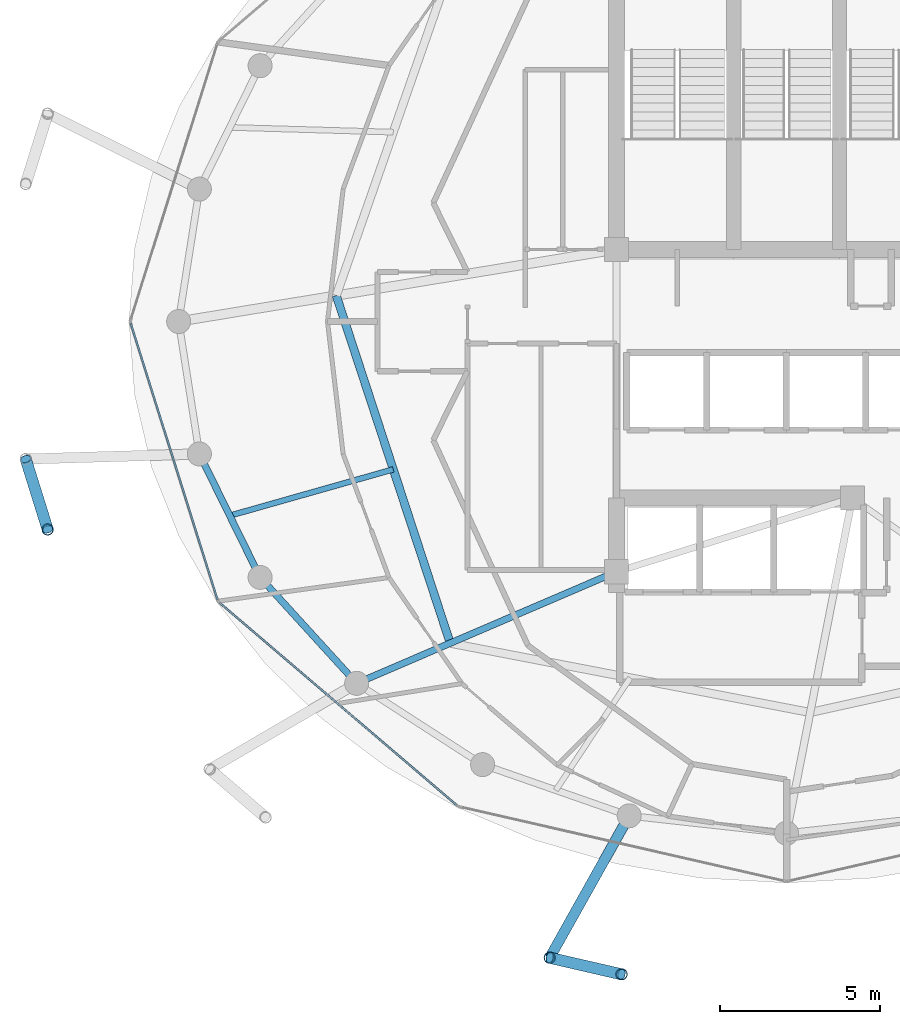
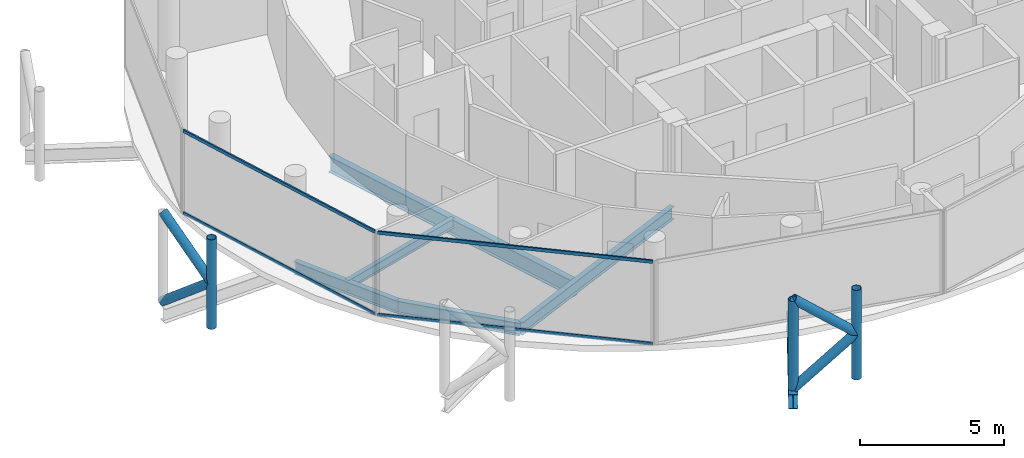
# One storey, part 3 of 24: 11 members, 6 beams, 2 elements without a shape of their own.
"""IFC4 building model written with IfcOpenShell, lengths in metres."""

from ifc_helpers import new_model, si_unit, direction, frame, origin, origin_2d, place, context, subcontext, project, spatial, hollow_rectangle, hollow_circle, i_section, extrude, material, layer, layer_set, material_profile, profile_set, type_object, element, aggregate, save


model = new_model("IFC4")

# Units and contexts
model_context = context("Model", 3, precision=1e-05, world=origin(), true_north=direction((0.0, 1.0)))
body_context = subcontext(model_context, "Body", "Model", "MODEL_VIEW")
ifc_project = project(units=[si_unit("LENGTHUNIT", "METRE"), si_unit("AREAUNIT", "SQUARE_METRE"), si_unit("VOLUMEUNIT", "CUBIC_METRE"), si_unit("PLANEANGLEUNIT", "RADIAN"), si_unit("MASSUNIT", "GRAM", prefix="KILO")], contexts=[model_context])

# Site, building, storey
site_placement = place(None, origin())
site = spatial("IfcSite", under=ifc_project, at=site_placement, CompositionType="ELEMENT")
building_placement = place(site_placement, origin())
building = spatial("IfcBuilding", under=site, at=building_placement, Name="Nuhasar Tower", CompositionType="ELEMENT")
storey_placement = place(building_placement, frame((0.0, 0.0, 267.0)))
storey = spatial("IfcBuildingStorey", under=building, at=storey_placement, Name="L66", CompositionType="ELEMENT", Elevation=267.0)

# Beams
ifc_material_1 = material(Name="Steel S355", Category="steel")
ifc_material_profile_1 = material_profile(ifc_material_1, i_section(OverallWidth=0.25390625, OverallDepth=0.68408203125, WebThickness=0.012451171875, FlangeThickness=0.018798828125, at=origin_2d()), Name="W27X94")
ifc_profile_set_1 = profile_set([ifc_material_profile_1], Name="Steel S355")
beam_type_1 = type_object("IfcBeamType", Name="BM-INRING-W27X94", PredefinedType="BEAM", material=ifc_profile_set_1)
beam_1_placement = place(storey_placement, frame((24.964111328125, 27.610107421875, -0.60205078125), z_axis=(0.311483801376, -0.950251462235, 0.0), x_axis=(0.950251462235, 0.311483801376, 0.0)))
element("IfcBeam", 1, at=beam_1_placement, inside=storey, type_object=beam_type_1, Name="L66 Inner Header Beam 08", PredefinedType="BEAM", context=body_context, shape_type="SweptSolid", body=[
    extrude(i_section(OverallWidth=0.25390625, OverallDepth=0.68408203125, WebThickness=0.012451171875, FlangeThickness=0.018798828125, at=origin_2d()), origin(), (0.0, 0.0, 1.0), 11.403564453125),
])
ifc_material_profile_2 = material_profile(ifc_material_1, i_section(OverallWidth=0.177978515625, OverallDepth=0.406005859375, WebThickness=0.0078125, FlangeThickness=0.0126953125, at=origin_2d()), Name="W16X40")
ifc_profile_set_2 = profile_set([ifc_material_profile_2], Name="Steel S355")
beam_type_2 = type_object("IfcBeamType", Name="BM-JST-W16X40", PredefinedType="JOIST", material=ifc_profile_set_2)
beam_2_placement = place(storey_placement, frame((26.739990234375, 22.19189453125, -0.462890625), z_axis=(-0.962154316042, -0.272505178156, 0.0), x_axis=(0.272505178156, -0.962154316042, 0.0)))
element("IfcBeam", 2, at=beam_2_placement, inside=storey, type_object=beam_type_2, Name="L66 Secondary Floor Joist 08", PredefinedType="JOIST", context=body_context, shape_type="SweptSolid", body=[
    extrude(i_section(OverallWidth=0.177978515625, OverallDepth=0.406005859375, WebThickness=0.0078125, FlangeThickness=0.0126953125, at=origin_2d()), origin(), (0.0, 0.0, 1.0), 5.29833984375),
])
ifc_material_profile_3 = material_profile(ifc_material_1, i_section(OverallWidth=0.208984375, OverallDepth=0.528076171875, WebThickness=0.009521484375, FlangeThickness=0.01318359375, at=origin_2d()), Name="W21X55")
ifc_profile_set_3 = profile_set([ifc_material_profile_3], Name="Steel S355")
beam_type_3 = type_object("IfcBeamType", Name="BM-RAD-W21X55", PredefinedType="BEAM", material=ifc_profile_set_3)
beam_3_placement = place(storey_placement, frame((33.699951171875, 19.0, -0.52392578125), z_axis=(-0.91887119061, -0.394557644797, 0.0), x_axis=(0.394557644797, -0.91887119061, 0.0)))
element("IfcBeam", 3, at=beam_3_placement, inside=storey, type_object=beam_type_3, Name="L66 Radial Floor Girder 01", PredefinedType="BEAM", context=body_context, shape_type="SweptSolid", body=[
    extrude(i_section(OverallWidth=0.208984375, OverallDepth=0.528076171875, WebThickness=0.009521484375, FlangeThickness=0.01318359375, at=origin_2d()), origin(), (0.0, 0.0, 1.0), 8.81494140625),
])
ifc_material_profile_4 = material_profile(ifc_material_1, i_section(OverallWidth=0.2099609375, OverallDepth=0.537109375, WebThickness=0.010986328125, FlangeThickness=0.017333984375, at=origin_2d()), Name="W21X68")
ifc_profile_set_4 = profile_set([ifc_material_profile_4], Name="Steel S355")
beam_type_4 = type_object("IfcBeamType", Name="BM-RING-W21X68", PredefinedType="SPANDREL", material=ifc_profile_set_4)
beam_4_placement = place(storey_placement, frame((20.696044921875, 22.672119140625, -0.529052734375), z_axis=(0.441510561726, -0.897256052576, 0.0), x_axis=(0.897256052576, 0.441510561726, 0.0)))
element("IfcBeam", 4, at=beam_4_placement, inside=storey, type_object=beam_type_4, Name="L66 Perimeter Ring Spandrel 14", PredefinedType="SPANDREL", context=body_context, shape_type="SweptSolid", body=[
    extrude(i_section(OverallWidth=0.2099609375, OverallDepth=0.537109375, WebThickness=0.010986328125, FlangeThickness=0.017333984375, at=origin_2d()), origin(), (0.0, 0.0, 1.0), 4.28759765625),
])
beam_5_placement = place(storey_placement, frame((22.589111328125, 18.824951171875, -0.529052734375), z_axis=(0.673686302939, -0.739017432293, 0.0), x_axis=(0.739017432293, 0.673686302939, 0.0)))
element("IfcBeam", 5, at=beam_5_placement, inside=storey, type_object=beam_type_4, Name="L66 Perimeter Ring Spandrel 15", PredefinedType="SPANDREL", context=body_context, shape_type="SweptSolid", body=[
    extrude(i_section(OverallWidth=0.2099609375, OverallDepth=0.537109375, WebThickness=0.010986328125, FlangeThickness=0.017333984375, at=origin_2d()), origin(), (0.0, 0.0, 1.0), 4.469482421875),
])
ifc_material_profile_5 = material_profile(ifc_material_1, i_section(OverallWidth=0.323974609375, OverallDepth=0.611083984375, WebThickness=0.0126953125, FlangeThickness=0.01904296875, at=origin_2d()), Name="W24X104")
ifc_profile_set_5 = profile_set([ifc_material_profile_5], Name="Steel S355")
beam_type_5 = type_object("IfcBeamType", Name="BM-TIE-W24X104", PredefinedType="BEAM", material=ifc_profile_set_5)
beam_6_placement = place(storey_placement, frame((34.094970703125, 11.39306640625, -0.56494140625), z_axis=(-0.488667847762, -0.872469904675, 0.0), x_axis=(0.872469904675, -0.488667847762, 0.0)))
element("IfcBeam", 6, at=beam_6_placement, inside=storey, type_object=beam_type_5, Name="L66 Exoskeleton Node Tie Beam 09", PredefinedType="BEAM", context=body_context, shape_type="SweptSolid", body=[
    extrude(i_section(OverallWidth=0.323974609375, OverallDepth=0.611083984375, WebThickness=0.0126953125, FlangeThickness=0.01904296875, at=origin_2d()), origin(), (0.0, 0.0, 1.0), 5.072998046875),
])

# Curtain wall, members
ifc_material_2 = material(Name="Aluminium 6063-T6", Category="aluminium")
ifc_layer = layer(ifc_material_2, 0.18994140625)
ifc_layer_set = layer_set([ifc_layer], Name="Aluminium 6063-T6")
curtain_wall_type = type_object("IfcCurtainWallType", Name="CW-Z4-PEN", PredefinedType="NOTDEFINED", material=ifc_layer_set)
curtain_wall_1_placement = place(storey_placement, origin())
curtain_wall_1 = element("IfcCurtainWall", 7, at=curtain_wall_1_placement, inside=storey, type_object=curtain_wall_type, Name="L66 Unitised Curtain Wall 07", PredefinedType="NOTDEFINED")
ifc_material_profile_6 = material_profile(ifc_material_2, hollow_rectangle(XDim=0.06005859375, YDim=0.135009765625, WallThickness=0.00439453125, at=origin_2d()), Name="CWT-5")
ifc_profile_set_6 = profile_set([ifc_material_profile_6], Name="Aluminium 6063-T6")
member_type_1 = type_object("IfcMemberType", Name="CW-TRN-S5", PredefinedType="USERDEFINED", material=ifc_profile_set_6)
member_1_placement = place(storey_placement, frame((18.557861328125, 26.74267578125, 0.030029296875), z_axis=(0.29956014073, -0.954077419335, 0.0), x_axis=(0.954077419335, 0.29956014073, 0.0)))
member_1 = element("IfcMember", 8, at=member_1_placement, type_object=member_type_1, Name="CW-Z4 transom 1.1", ObjectType="TRANSOM", PredefinedType="USERDEFINED", context=body_context, shape_type="SweptSolid", body=[
    extrude(hollow_rectangle(XDim=0.06005859375, YDim=0.135009765625, WallThickness=0.00439453125, at=origin_2d()), origin(), (0.0, 0.0, 1.0), 9.0302734375),
])
member_2_placement = place(storey_placement, frame((18.557861328125, 26.74267578125, 3.510009765625), z_axis=(0.29956014073, -0.954077419335, 0.0), x_axis=(0.954077419335, 0.29956014073, 0.0)))
member_2 = element("IfcMember", 9, at=member_2_placement, type_object=member_type_1, Name="CW-Z4 transom 1.2", ObjectType="TRANSOM", PredefinedType="USERDEFINED", context=body_context, shape_type="SweptSolid", body=[
    extrude(hollow_rectangle(XDim=0.06005859375, YDim=0.135009765625, WallThickness=0.00439453125, at=origin_2d()), origin(), (0.0, 0.0, 1.0), 9.0302734375),
])
aggregate(curtain_wall_1, [member_1, member_2])

curtain_wall_2_placement = place(storey_placement, origin())
curtain_wall_2 = element("IfcCurtainWall", 10, at=curtain_wall_2_placement, inside=storey, type_object=curtain_wall_type, Name="L66 Unitised Curtain Wall 08", PredefinedType="NOTDEFINED")
member_3_placement = place(storey_placement, frame((21.32666015625, 18.031005859375, 0.030029296875), z_axis=(0.760672431431, -0.649135927261, 0.0), x_axis=(0.649135927261, 0.760672431431, 0.0)))
member_3 = element("IfcMember", 11, at=member_3_placement, type_object=member_type_1, Name="CW-Z4 transom 1.1", ObjectType="TRANSOM", PredefinedType="USERDEFINED", context=body_context, shape_type="SweptSolid", body=[
    extrude(hollow_rectangle(XDim=0.06005859375, YDim=0.135009765625, WallThickness=0.00439453125, at=origin_2d()), origin(), (0.0, 0.0, 1.0), 9.72509765625),
])
member_4_placement = place(storey_placement, frame((21.32666015625, 18.031005859375, 3.510009765625), z_axis=(0.760672431431, -0.649135927261, 0.0), x_axis=(0.649135927261, 0.760672431431, 0.0)))
member_4 = element("IfcMember", 12, at=member_4_placement, type_object=member_type_1, Name="CW-Z4 transom 1.2", ObjectType="TRANSOM", PredefinedType="USERDEFINED", context=body_context, shape_type="SweptSolid", body=[
    extrude(hollow_rectangle(XDim=0.06005859375, YDim=0.135009765625, WallThickness=0.00439453125, at=origin_2d()), origin(), (0.0, 0.0, 1.0), 9.72509765625),
])
aggregate(curtain_wall_2, [member_3, member_4])

# Members
ifc_material_3 = material(Name="Steel S460", Category="steel")
ifc_material_profile_7 = material_profile(ifc_material_3, hollow_circle(Radius=0.177734375, WallThickness=0.015869140625, at=origin_2d()), Name="HSS355.6X15.9")
ifc_profile_set_7 = profile_set([ifc_material_profile_7], Name="Steel S460")
member_type_2 = type_object("IfcMemberType", Name="EXO-BRONZE-356", PredefinedType="BRACE", material=ifc_profile_set_7)
for number, where, z_axis, x_axis, name in (
    (13, (15.967041015625, 20.319091796875, 0.0), (0.0, 0.0, 1.0), (1.0, 0.0, 0.0), "L66 Exoskeleton Chord Column EC-07B"),
    (14, (31.615966796875, 6.967041015625, 0.0), (0.0, 0.0, 1.0), (1.0, 0.0, 0.0), "L66 Exoskeleton Chord Column EC-09A"),
    (15, (33.85693359375, 6.450927734375, 0.0), (0.0, 0.0, 1.0), (1.0, 0.0, 0.0), "L66 Exoskeleton Chord Column EC-09B"),
):
    element("IfcMember", number, at=place(storey_placement, frame(where, z_axis=z_axis, x_axis=x_axis)), inside=storey, type_object=member_type_2, Name=name, PredefinedType="BRACE", context=body_context, shape_type="SweptSolid", body=[
        extrude(hollow_circle(Radius=0.177734375, WallThickness=0.015869140625, at=origin_2d()), origin(), (0.0, 0.0, 1.0), 3.800048828125),
    ])
member_5_placement = place(storey_placement, frame((15.281982421875, 22.513916015625, 0.0), z_axis=(0.229681361446, -0.735864376122, 0.636985158507), x_axis=(0.954581948223, 0.297948492404, 0.0)))
element("IfcMember", 16, at=member_5_placement, inside=storey, type_object=member_type_2, Name="L66 Bronze Diagrid Brace W1-07", PredefinedType="BRACE", context=body_context, shape_type="SweptSolid", body=[
    extrude(hollow_circle(Radius=0.177734375, WallThickness=0.015869140625, at=origin_2d()), origin(), (0.0, 0.0, 1.0), 2.982666015625),
])
for number, where, z_axis, x_axis, name in (
    (17, (15.967041015625, 20.319091796875, 1.89990234375), (-0.229669386127, 0.73582600901, 0.637033796232), (-0.954581948223, -0.297948492404, 0.0), "L66 Bronze Diagrid Brace W2-07"),
    (18, (31.615966796875, 6.967041015625, 0.0), (0.751260978137, -0.173021648086, 0.636922642103), (0.224433035437, 0.97448951385, 0.0), "L66 Bronze Diagrid Brace W1-09"),
):
    element("IfcMember", number, at=place(storey_placement, frame(where, z_axis=z_axis, x_axis=x_axis)), inside=storey, type_object=member_type_2, Name=name, PredefinedType="BRACE", context=body_context, shape_type="SweptSolid", body=[
        extrude(hollow_circle(Radius=0.177734375, WallThickness=0.015869140625, at=origin_2d()), origin(), (0.0, 0.0, 1.0), 2.98291015625),
    ])
member_6_placement = place(storey_placement, frame((33.85693359375, 6.450927734375, 1.89990234375), z_axis=(-0.751221815951, 0.173012628709, 0.636971281571), x_axis=(-0.224433035437, -0.97448951385, 0.0)))
element("IfcMember", 19, at=member_6_placement, inside=storey, type_object=member_type_2, Name="L66 Bronze Diagrid Brace W2-09", PredefinedType="BRACE", context=body_context, shape_type="SweptSolid", body=[
    extrude(hollow_circle(Radius=0.177734375, WallThickness=0.015869140625, at=origin_2d()), origin(), (0.0, 0.0, 1.0), 2.983154296875),
])

save(model, "model.ifc")
